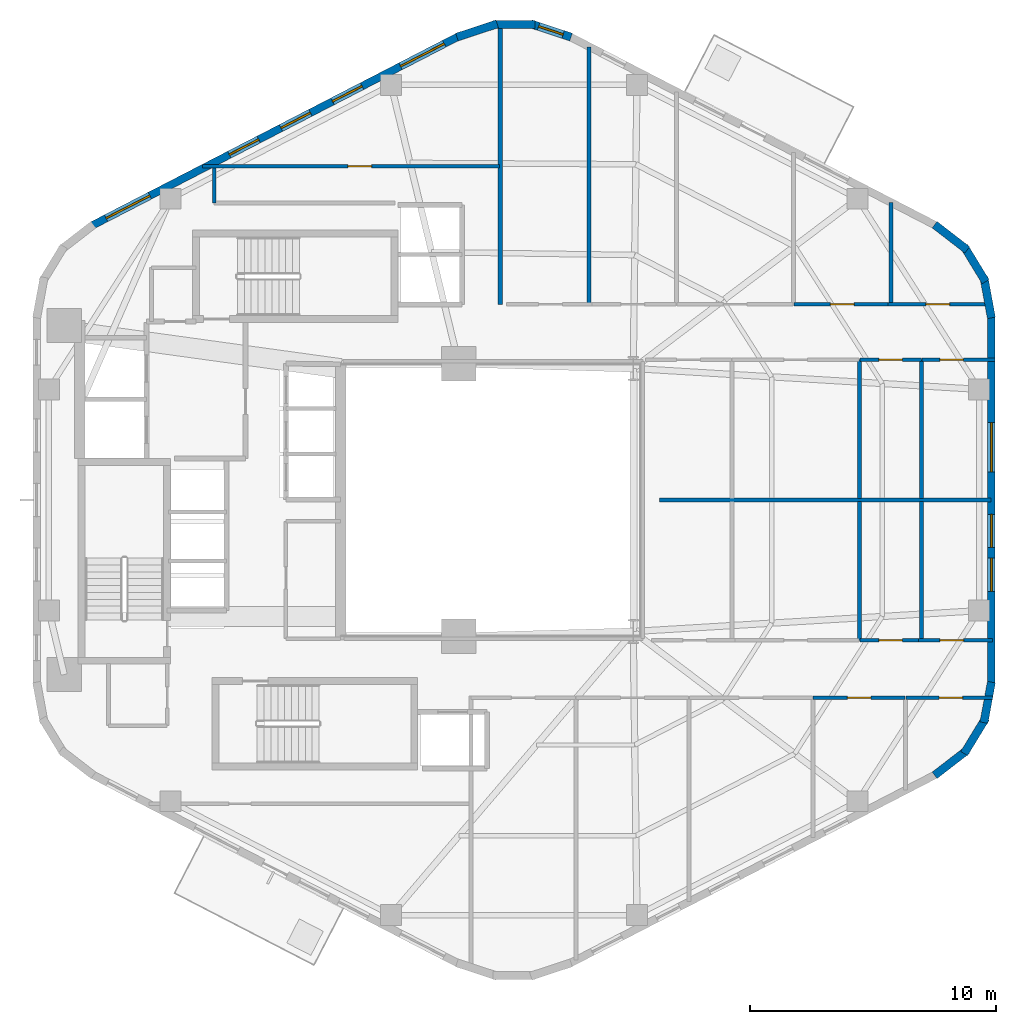
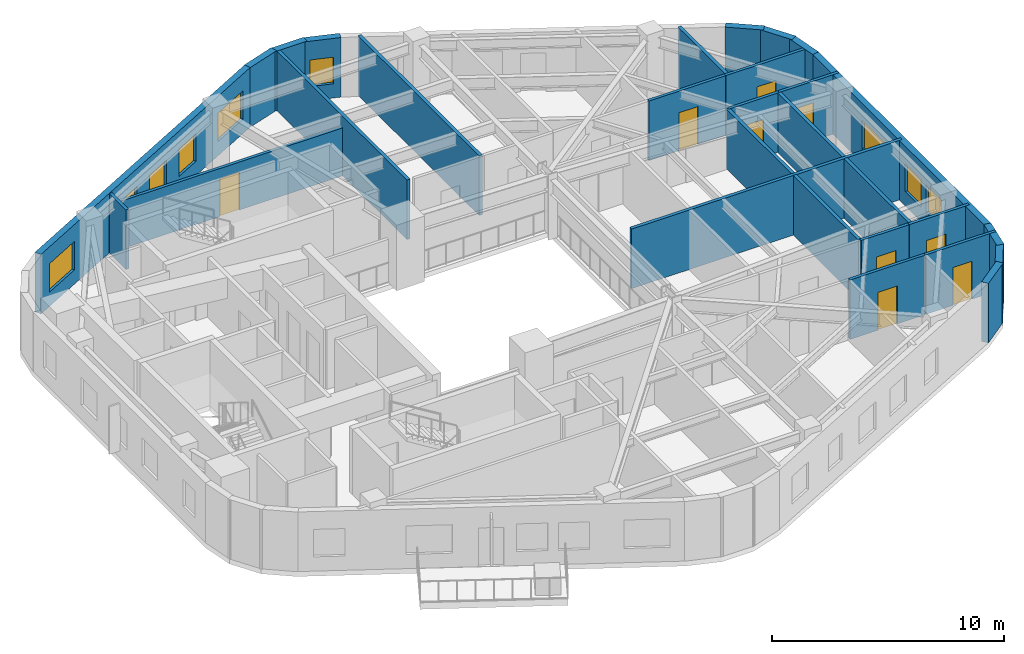
# One storey, part 5 of 8: 29 walls, 9 doors, 9 windows, 18 openings.
"""IFC4 building model written with IfcOpenShell, lengths in metres."""

from ifc_helpers import new_model, si_unit, direction, frame, frame_2d, origin, place, context, subcontext, project, spatial, rectangle, extrude, material, layer, layer_set, type_object, element, fill, save


model = new_model("IFC4")

# Units and contexts
model_context = context("Model", 3, precision=1e-05, world=origin(), true_north=direction((0.0, 1.0)))
body_context = subcontext(model_context, "Body", "Model", "MODEL_VIEW")
ifc_project = project(units=[si_unit("LENGTHUNIT", "METRE"), si_unit("AREAUNIT", "SQUARE_METRE"), si_unit("VOLUMEUNIT", "CUBIC_METRE"), si_unit("PLANEANGLEUNIT", "RADIAN"), si_unit("MASSUNIT", "GRAM", prefix="KILO"), si_unit("THERMODYNAMICTEMPERATUREUNIT", "KELVIN"), si_unit("POWERUNIT", "WATT")], contexts=[model_context])

# Site, building, storey
site_placement = place(None, origin())
site = spatial("IfcSite", under=ifc_project, at=site_placement, CompositionType="ELEMENT")
building_placement = place(site_placement, origin())
building = spatial("IfcBuilding", under=site, at=building_placement, Name="Skarre Station Tower", CompositionType="ELEMENT")
storey_placement = place(building_placement, frame((0.0, 0.0, 187.800048828125)))
storey = spatial("IfcBuildingStorey", under=building, at=storey_placement, Name="L51", CompositionType="ELEMENT", Elevation=187.800048828125)

# Wall, opening, door
ifc_material_1 = material(Name="Acoustic Steel-Stud Gypsum Partition", Category="steel")
ifc_layer_1 = layer(ifc_material_1, 0.14990234375, Name="Acoustic Steel-Stud Gypsum Partition")
ifc_layer_set_1 = layer_set([ifc_layer_1], Name="Acoustic Steel-Stud Gypsum Partition")
wall_type_1 = type_object("IfcWallType", Name="Fire-Rated Corridor Acoustic Partition 150", PredefinedType="PARTITIONING", material=ifc_layer_set_1)
wall_1_placement = place(storey_placement, frame((34.0, 37.580078125, 0.0), z_axis=(0.0, 0.0, 1.0), x_axis=(-1.0, 0.0, 0.0)))
wall_1 = element("IfcWall", 1, at=wall_1_placement, inside=storey, type_object=wall_type_1, Name="L51 Interior Partition WL-PT-L51-NWW1-CW", PredefinedType="PARTITIONING", context=body_context, shape_type="SweptSolid", body=[
    extrude(rectangle(XDim=12.074951171875, YDim=0.14990234375, at=frame_2d((6.03759765625, 0.0))), origin(), (0.0, 0.0, 1.0), 2.531982421875),
])
opening_1_placement = place(wall_1_placement, frame((5.195068359375, 0.0, 0.0)))
opening_1 = element("IfcOpeningElement", 2, at=opening_1_placement, cuts=wall_1, Name="Opening DR-FD60", PredefinedType="OPENING", context=body_context, shape_type="SweptSolid", body=[
    extrude(rectangle(XDim=0.9599609375, YDim=2.0, at=frame_2d((0.47998046875, 1.0))), frame((0.0, 0.0849609375, 0.0), z_axis=(0.0, -1.0, 0.0), x_axis=(1.0, 0.0, 0.0)), (0.0, 0.0, 1.0), 0.169921875),
])
ifc_material_2 = material(Name="Nordic White-Oak Veneer Solid-Core Fire Leaf", Category="wood")
door_type = type_object("IfcDoorType", Name="Corridor Suite Entry Fire Door FD60 960x2150", OperationType="SINGLE_SWING_LEFT", PredefinedType="DOOR", material=ifc_material_2)
door_1_placement = place(opening_1_placement, origin())
door_1 = element("IfcDoor", 3, at=door_1_placement, inside=storey, type_object=door_type, Name="L51 NWW1 Entry Door", OperationType="SINGLE_SWING_LEFT", OverallHeight=2.0, OverallWidth=0.9599609375, PredefinedType="DOOR", context=body_context, shape_type="SweptSolid", body=[
    extrude(rectangle(XDim=0.9599609375, YDim=2.0, at=frame_2d((0.47998046875, 1.0))), frame((0.0, 0.02490234375, 0.0), z_axis=(0.0, -1.0, 0.0), x_axis=(1.0, 0.0, 0.0)), (0.0, 0.0, 1.0), 0.050048828125),
])
fill(opening_1, door_1)

wall_2_placement = place(storey_placement, frame((49.806884765625, 31.9599609375, 0.0), z_axis=(0.0, 0.0, 1.0), x_axis=(-1.0, 0.0, 0.0)))
wall_2 = element("IfcWall", 4, at=wall_2_placement, inside=storey, type_object=wall_type_1, Name="L51 Interior Partition WL-PT-L51-NW4-CW", PredefinedType="PARTITIONING", context=body_context, shape_type="SweptSolid", body=[
    extrude(rectangle(XDim=3.81787109375, YDim=0.14990234375, at=frame_2d((1.908935546875, 0.0))), origin(), (0.0, 0.0, 1.0), 3.139892578125),
])
opening_2_placement = place(wall_2_placement, frame((1.3720703125, 0.0, 0.0)))
opening_2 = element("IfcOpeningElement", 5, at=opening_2_placement, cuts=wall_2, Name="Opening DR-FD60", PredefinedType="OPENING", context=body_context, shape_type="SweptSolid", body=[
    extrude(rectangle(XDim=0.9599609375, YDim=2.0, at=frame_2d((0.47998046875, 1.0))), frame((0.0, 0.0849609375, 0.0), z_axis=(0.0, -1.0, 0.0), x_axis=(1.0, 0.0, 0.0)), (0.0, 0.0, 1.0), 0.169921875),
])
door_2_placement = place(opening_2_placement, origin())
door_2 = element("IfcDoor", 6, at=door_2_placement, inside=storey, type_object=door_type, Name="L51 NW4 Entry Door", OperationType="SINGLE_SWING_LEFT", OverallHeight=2.0, OverallWidth=0.9599609375, PredefinedType="DOOR", context=body_context, shape_type="SweptSolid", body=[
    extrude(rectangle(XDim=0.9599609375, YDim=2.0, at=frame_2d((0.47998046875, 1.0))), frame((0.0, 0.02490234375, 0.0), z_axis=(0.0, -1.0, 0.0), x_axis=(1.0, 0.0, 0.0)), (0.0, 0.0, 1.0), 0.050048828125),
])
fill(opening_2, door_2)

wall_3_placement = place(storey_placement, frame((53.969970703125, 31.9599609375, 0.0), z_axis=(0.0, 0.0, 1.0), x_axis=(-1.0, 0.0, 0.0)))
wall_3 = element("IfcWall", 7, at=wall_3_placement, inside=storey, type_object=wall_type_1, Name="L51 Interior Partition WL-PT-L51-NW5-CW", PredefinedType="PARTITIONING", context=body_context, shape_type="SweptSolid", body=[
    extrude(rectangle(XDim=4.153076171875, YDim=0.14990234375, at=frame_2d((2.07666015625, 0.0))), origin(), (0.0, 0.0, 1.0), 3.139892578125),
])
opening_3_placement = place(wall_3_placement, frame((1.653076171875, 0.0, 0.0)))
opening_3 = element("IfcOpeningElement", 8, at=opening_3_placement, cuts=wall_3, Name="Opening DR-FD60", PredefinedType="OPENING", context=body_context, shape_type="SweptSolid", body=[
    extrude(rectangle(XDim=0.9599609375, YDim=2.0, at=frame_2d((0.47998046875, 1.0))), frame((0.0, 0.0849609375, 0.0), z_axis=(0.0, -1.0, 0.0), x_axis=(1.0, 0.0, 0.0)), (0.0, 0.0, 1.0), 0.169921875),
])
door_3_placement = place(opening_3_placement, origin())
door_3 = element("IfcDoor", 9, at=door_3_placement, inside=storey, type_object=door_type, Name="L51 NW5 Entry Door", OperationType="SINGLE_SWING_LEFT", OverallHeight=2.0, OverallWidth=0.9599609375, PredefinedType="DOOR", context=body_context, shape_type="SweptSolid", body=[
    extrude(rectangle(XDim=0.9599609375, YDim=2.0, at=frame_2d((0.47998046875, 1.0))), frame((0.0, 0.02490234375, 0.0), z_axis=(0.0, -1.0, 0.0), x_axis=(1.0, 0.0, 0.0)), (0.0, 0.0, 1.0), 0.050048828125),
])
fill(opening_3, door_3)

wall_4_placement = place(storey_placement, frame((48.6708984375, 29.7099609375, 0.0), z_axis=(0.0, 0.0, 1.0), x_axis=(1.0, 0.0, 0.0)))
wall_4 = element("IfcWall", 10, at=wall_4_placement, inside=storey, type_object=wall_type_1, Name="L51 Interior Partition WL-PT-L51-EWN3-CW", PredefinedType="PARTITIONING", context=body_context, shape_type="SweptSolid", body=[
    extrude(rectangle(XDim=2.498046875, YDim=0.14990234375, at=frame_2d((1.2490234375, 0.0))), origin(), (0.0, 0.0, 1.0), 3.139892578125),
])
opening_4_placement = place(wall_4_placement, frame((0.76904296875, 0.0, 0.0)))
opening_4 = element("IfcOpeningElement", 11, at=opening_4_placement, cuts=wall_4, Name="Opening DR-FD60", PredefinedType="OPENING", context=body_context, shape_type="SweptSolid", body=[
    extrude(rectangle(XDim=0.9599609375, YDim=2.0, at=frame_2d((0.47998046875, 1.0))), frame((0.0, 0.0849609375, 0.0), z_axis=(0.0, -1.0, 0.0), x_axis=(1.0, 0.0, 0.0)), (0.0, 0.0, 1.0), 0.169921875),
])
door_4_placement = place(opening_4_placement, origin())
door_4 = element("IfcDoor", 12, at=door_4_placement, inside=storey, type_object=door_type, Name="L51 EWN3 Entry Door", OperationType="SINGLE_SWING_LEFT", OverallHeight=2.0, OverallWidth=0.9599609375, PredefinedType="DOOR", context=body_context, shape_type="SweptSolid", body=[
    extrude(rectangle(XDim=0.9599609375, YDim=2.0, at=frame_2d((0.47998046875, 1.0))), frame((0.0, 0.02490234375, 0.0), z_axis=(0.0, -1.0, 0.0), x_axis=(1.0, 0.0, 0.0)), (0.0, 0.0, 1.0), 0.050048828125),
])
fill(opening_4, door_4)

wall_5_placement = place(storey_placement, frame((51.198974609375, 29.7099609375, 0.0), z_axis=(0.0, 0.0, 1.0), x_axis=(1.0, 0.0, 0.0)))
wall_5 = element("IfcWall", 13, at=wall_5_placement, inside=storey, type_object=wall_type_1, Name="L51 Interior Partition WL-PT-L51-EWN4-CW", PredefinedType="PARTITIONING", context=body_context, shape_type="SweptSolid", body=[
    extrude(rectangle(XDim=2.963134765625, YDim=0.14990234375, at=frame_2d((1.4814453125, 0.0))), origin(), (0.0, 0.0, 1.0), 3.139892578125),
])
opening_5_placement = place(wall_5_placement, frame((0.72607421875, 0.0, 0.0)))
opening_5 = element("IfcOpeningElement", 14, at=opening_5_placement, cuts=wall_5, Name="Opening DR-FD60", PredefinedType="OPENING", context=body_context, shape_type="SweptSolid", body=[
    extrude(rectangle(XDim=0.9599609375, YDim=2.0, at=frame_2d((0.47998046875, 1.0))), frame((0.0, 0.0849609375, 0.0), z_axis=(0.0, -1.0, 0.0), x_axis=(1.0, 0.0, 0.0)), (0.0, 0.0, 1.0), 0.169921875),
])
door_5_placement = place(opening_5_placement, origin())
door_5 = element("IfcDoor", 15, at=door_5_placement, inside=storey, type_object=door_type, Name="L51 EWN4 Entry Door", OperationType="SINGLE_SWING_LEFT", OverallHeight=2.0, OverallWidth=0.9599609375, PredefinedType="DOOR", context=body_context, shape_type="SweptSolid", body=[
    extrude(rectangle(XDim=0.9599609375, YDim=2.0, at=frame_2d((0.47998046875, 1.0))), frame((0.0, 0.02490234375, 0.0), z_axis=(0.0, -1.0, 0.0), x_axis=(1.0, 0.0, 0.0)), (0.0, 0.0, 1.0), 0.050048828125),
])
fill(opening_5, door_5)

wall_6_placement = place(storey_placement, frame((51.053955078125, 18.2900390625, 0.0), z_axis=(0.0, 0.0, 1.0), x_axis=(-1.0, 0.0, 0.0)))
wall_6 = element("IfcWall", 16, at=wall_6_placement, inside=storey, type_object=wall_type_1, Name="L51 Interior Partition WL-PT-L51-EWS3-CW", PredefinedType="PARTITIONING", context=body_context, shape_type="SweptSolid", body=[
    extrude(rectangle(XDim=2.383056640625, YDim=0.14990234375, at=frame_2d((1.19140625, 0.0))), origin(), (0.0, 0.0, 1.0), 3.139892578125),
])
opening_6_placement = place(wall_6_placement, frame((0.654052734375, 0.0, 0.0)))
opening_6 = element("IfcOpeningElement", 17, at=opening_6_placement, cuts=wall_6, Name="Opening DR-FD60", PredefinedType="OPENING", context=body_context, shape_type="SweptSolid", body=[
    extrude(rectangle(XDim=0.9599609375, YDim=2.0, at=frame_2d((0.47998046875, 1.0))), frame((0.0, 0.0849609375, 0.0), z_axis=(0.0, -1.0, 0.0), x_axis=(1.0, 0.0, 0.0)), (0.0, 0.0, 1.0), 0.169921875),
])
door_6_placement = place(opening_6_placement, origin())
door_6 = element("IfcDoor", 18, at=door_6_placement, inside=storey, type_object=door_type, Name="L51 EWS3 Entry Door", OperationType="SINGLE_SWING_LEFT", OverallHeight=2.0, OverallWidth=0.9599609375, PredefinedType="DOOR", context=body_context, shape_type="SweptSolid", body=[
    extrude(rectangle(XDim=0.9599609375, YDim=2.0, at=frame_2d((0.47998046875, 1.0))), frame((0.0, 0.02490234375, 0.0), z_axis=(0.0, -1.0, 0.0), x_axis=(1.0, 0.0, 0.0)), (0.0, 0.0, 1.0), 0.050048828125),
])
fill(opening_6, door_6)

wall_7_placement = place(storey_placement, frame((54.06201171875, 18.2900390625, 0.0), z_axis=(0.0, 0.0, 1.0), x_axis=(-1.0, 0.0, 0.0)))
wall_7 = element("IfcWall", 19, at=wall_7_placement, inside=storey, type_object=wall_type_1, Name="L51 Interior Partition WL-PT-L51-EWS4-CW", PredefinedType="PARTITIONING", context=body_context, shape_type="SweptSolid", body=[
    extrude(rectangle(XDim=2.998046875, YDim=0.14990234375, at=frame_2d((1.4990234375, 0.0))), origin(), (0.0, 0.0, 1.0), 3.139892578125),
])
opening_7_placement = place(wall_7_placement, frame((1.176025390625, 0.0, 0.0)))
opening_7 = element("IfcOpeningElement", 20, at=opening_7_placement, cuts=wall_7, Name="Opening DR-FD60", PredefinedType="OPENING", context=body_context, shape_type="SweptSolid", body=[
    extrude(rectangle(XDim=0.9599609375, YDim=2.0, at=frame_2d((0.47998046875, 1.0))), frame((0.0, 0.0849609375, 0.0), z_axis=(0.0, -1.0, 0.0), x_axis=(1.0, 0.0, 0.0)), (0.0, 0.0, 1.0), 0.169921875),
])
door_7_placement = place(opening_7_placement, origin())
door_7 = element("IfcDoor", 21, at=door_7_placement, inside=storey, type_object=door_type, Name="L51 EWS4 Entry Door", OperationType="SINGLE_SWING_LEFT", OverallHeight=2.0, OverallWidth=0.9599609375, PredefinedType="DOOR", context=body_context, shape_type="SweptSolid", body=[
    extrude(rectangle(XDim=0.9599609375, YDim=2.0, at=frame_2d((0.47998046875, 1.0))), frame((0.0, 0.02490234375, 0.0), z_axis=(0.0, -1.0, 0.0), x_axis=(1.0, 0.0, 0.0)), (0.0, 0.0, 1.0), 0.050048828125),
])
fill(opening_7, door_7)

wall_8_placement = place(storey_placement, frame((46.77294921875, 15.9599609375, 0.0), z_axis=(0.0, 0.0, 1.0), x_axis=(1.0, 0.0, 0.0)))
wall_8 = element("IfcWall", 22, at=wall_8_placement, inside=storey, type_object=wall_type_1, Name="L51 Interior Partition WL-PT-L51-SW4-CW", PredefinedType="PARTITIONING", context=body_context, shape_type="SweptSolid", body=[
    extrude(rectangle(XDim=3.738037109375, YDim=0.14990234375, at=frame_2d((1.869140625, 0.0))), origin(), (0.0, 0.0, 1.0), 3.139892578125),
])
opening_8_placement = place(wall_8_placement, frame((1.388916015625, 0.0, 0.0)))
opening_8 = element("IfcOpeningElement", 23, at=opening_8_placement, cuts=wall_8, Name="Opening DR-FD60", PredefinedType="OPENING", context=body_context, shape_type="SweptSolid", body=[
    extrude(rectangle(XDim=0.9599609375, YDim=2.0, at=frame_2d((0.47998046875, 1.0))), frame((0.0, 0.0849609375, 0.0), z_axis=(0.0, -1.0, 0.0), x_axis=(1.0, 0.0, 0.0)), (0.0, 0.0, 1.0), 0.169921875),
])
door_8_placement = place(opening_8_placement, origin())
door_8 = element("IfcDoor", 24, at=door_8_placement, inside=storey, type_object=door_type, Name="L51 SW4 Entry Door", OperationType="SINGLE_SWING_LEFT", OverallHeight=2.0, OverallWidth=0.9599609375, PredefinedType="DOOR", context=body_context, shape_type="SweptSolid", body=[
    extrude(rectangle(XDim=0.9599609375, YDim=2.0, at=frame_2d((0.47998046875, 1.0))), frame((0.0, 0.02490234375, 0.0), z_axis=(0.0, -1.0, 0.0), x_axis=(1.0, 0.0, 0.0)), (0.0, 0.0, 1.0), 0.050048828125),
])
fill(opening_8, door_8)

wall_9_placement = place(storey_placement, frame((50.547119140625, 15.9599609375, 0.0), z_axis=(0.0, 0.0, 1.0), x_axis=(1.0, 0.0, 0.0)))
wall_9 = element("IfcWall", 25, at=wall_9_placement, inside=storey, type_object=wall_type_1, Name="L51 Interior Partition WL-PT-L51-SW5-CW", PredefinedType="PARTITIONING", context=body_context, shape_type="SweptSolid", body=[
    extrude(rectangle(XDim=3.515869140625, YDim=0.14990234375, at=frame_2d((1.7578125, 0.0))), origin(), (0.0, 0.0, 1.0), 3.139892578125),
])
opening_9_placement = place(wall_9_placement, frame((1.346923828125, 0.0, 0.0)))
opening_9 = element("IfcOpeningElement", 26, at=opening_9_placement, cuts=wall_9, Name="Opening DR-FD60", PredefinedType="OPENING", context=body_context, shape_type="SweptSolid", body=[
    extrude(rectangle(XDim=0.9599609375, YDim=2.0, at=frame_2d((0.47998046875, 1.0))), frame((0.0, 0.0849609375, 0.0), z_axis=(0.0, -1.0, 0.0), x_axis=(1.0, 0.0, 0.0)), (0.0, 0.0, 1.0), 0.169921875),
])
door_9_placement = place(opening_9_placement, origin())
door_9 = element("IfcDoor", 27, at=door_9_placement, inside=storey, type_object=door_type, Name="L51 SW5 Entry Door", OperationType="SINGLE_SWING_LEFT", OverallHeight=2.0, OverallWidth=0.9599609375, PredefinedType="DOOR", context=body_context, shape_type="SweptSolid", body=[
    extrude(rectangle(XDim=0.9599609375, YDim=2.0, at=frame_2d((0.47998046875, 1.0))), frame((0.0, 0.02490234375, 0.0), z_axis=(0.0, -1.0, 0.0), x_axis=(1.0, 0.0, 0.0)), (0.0, 0.0, 1.0), 0.050048828125),
])
fill(opening_9, door_9)

# Walls
wall_10_placement = place(storey_placement, frame((22.39990234375, 36.080078125, 0.0), z_axis=(0.0, 0.0, 1.0), x_axis=(0.0, 1.0, 0.0)))
element("IfcWall", 28, at=wall_10_placement, inside=storey, type_object=wall_type_1, Name="L51 Interior Partition WL-PT-L51-CSEAL-2", PredefinedType="PARTITIONING", context=body_context, shape_type="SweptSolid", body=[
    extrude(rectangle(XDim=1.429931640625, YDim=0.14990234375, at=frame_2d((0.71484375, 0.0))), origin(), (0.0, 0.0, 1.0), 3.139892578125),
])
ifc_material_3 = material(Name="Precast concrete C45/55", Category="concrete")
ifc_layer_2 = layer(ifc_material_3, 0.330078125, Name="Precast concrete C45/55")
ifc_layer_set_2 = layer_set([ifc_layer_2], Name="Precast concrete C45/55")
wall_type_2 = type_object("IfcWallType", Name="Nordic Rounded Corner Precast Wall 330", PredefinedType="STANDARD", material=ifc_layer_set_2)
wall_11_placement = place(storey_placement, frame((51.7109375, 35.199951171875, 0.0), z_axis=(0.0, 0.0, 1.0), x_axis=(0.791464279355, -0.611215423976, 0.0)))
element("IfcWall", 29, at=wall_11_placement, inside=storey, type_object=wall_type_2, Name="L51 Rounded Corner Precast Wall F0-1", PredefinedType="STANDARD", context=body_context, shape_type="SweptSolid", body=[
    extrude(rectangle(XDim=1.6767578125, YDim=0.330078125, at=frame_2d((0.83837890625, 0.0))), origin(), (0.0, 0.0, 1.0), 3.139892578125),
])
wall_12_placement = place(storey_placement, frame((52.912109375, 34.31494140625, 0.0), z_axis=(0.0, 0.0, 1.0), x_axis=(0.520219286058, -0.85403272444, 0.0)))
element("IfcWall", 30, at=wall_12_placement, inside=storey, type_object=wall_type_2, Name="L51 Rounded Corner Precast Wall F0-2", PredefinedType="STANDARD", context=body_context, shape_type="SweptSolid", body=[
    extrude(rectangle(XDim=1.677734375, YDim=0.330078125, at=frame_2d((0.8388671875, 0.0))), origin(), (0.0, 0.0, 1.0), 3.139892578125),
])
wall_13_placement = place(storey_placement, frame((53.718017578125, 33.056884765625, 0.0), z_axis=(0.0, 0.0, 1.0), x_axis=(0.180717642671, -0.983535019014, 0.0)))
element("IfcWall", 31, at=wall_13_placement, inside=storey, type_object=wall_type_2, Name="L51 Rounded Corner Precast Wall F0-3", PredefinedType="STANDARD", context=body_context, shape_type="SweptSolid", body=[
    extrude(rectangle(XDim=1.676513671875, YDim=0.330078125, at=frame_2d((0.83837890625, 0.0))), origin(), (0.0, 0.0, 1.0), 3.139892578125),
])
wall_14_placement = place(storey_placement, frame((32.281005859375, 42.83203125, 0.0), z_axis=(0.0, 0.0, 1.0), x_axis=(0.949937416267, 0.312440242569, 0.0)))
element("IfcWall", 32, at=wall_14_placement, inside=storey, type_object=wall_type_2, Name="L51 Rounded Corner Precast Wall F1-1", PredefinedType="STANDARD", context=body_context, shape_type="SweptSolid", body=[
    extrude(rectangle(XDim=1.72216796875, YDim=0.330078125, at=frame_2d((0.861083984375, 0.0))), origin(), (0.0, 0.0, 1.0), 3.139892578125),
])
wall_15_placement = place(storey_placement, frame((33.739013671875, 43.341064453125, 0.0), z_axis=(0.0, 0.0, 1.0), x_axis=(1.0, 0.0, 0.0)))
element("IfcWall", 33, at=wall_15_placement, inside=storey, type_object=wall_type_2, Name="L51 Rounded Corner Precast Wall F1-2", PredefinedType="STANDARD", context=body_context, shape_type="SweptSolid", body=[
    extrude(rectangle(XDim=1.721923828125, YDim=0.330078125, at=frame_2d((0.86083984375, 0.0))), origin(), (0.0, 0.0, 1.0), 3.139892578125),
])

# Wall, opening, window
wall_16_placement = place(storey_placement, frame((35.282958984375, 43.3701171875, 0.0), z_axis=(0.0, 0.0, 1.0), x_axis=(0.949937416267, -0.312440242569, 0.0)))
wall_16 = element("IfcWall", 34, at=wall_16_placement, inside=storey, type_object=wall_type_2, Name="L51 Rounded Corner Precast Wall F1-3", PredefinedType="STANDARD", context=body_context, shape_type="SweptSolid", body=[
    extrude(rectangle(XDim=1.72216796875, YDim=0.330078125, at=frame_2d((0.861083984375, 0.0))), origin(), (0.0, 0.0, 1.0), 3.139892578125),
])
opening_10_placement = place(wall_16_placement, frame((0.3359375, 0.0, 0.75)))
opening_10 = element("IfcOpeningElement", 35, at=opening_10_placement, cuts=wall_16, Name="Opening WN-SLT", PredefinedType="OPENING", context=body_context, shape_type="SweptSolid", body=[
    extrude(rectangle(XDim=1.050048828125, YDim=1.39990234375, at=frame_2d((0.52490234375, 0.699951171875))), frame((0.0, 0.175048828125, 0.0), z_axis=(0.0, -1.0, 0.0), x_axis=(1.0, 0.0, 0.0)), (0.0, 0.0, 1.0), 0.35009765625),
])
ifc_material_4 = material(Name="Low-Iron Triple Glazing with Bronze Anodized Frame", Category="glass")
window_type_1 = type_object("IfcWindowType", Name="Nordic Corner Slot Window 1050x1400", PartitioningType="SINGLE_PANEL", PredefinedType="WINDOW", material=ifc_material_4)
window_1_placement = place(opening_10_placement, origin())
window_1 = element("IfcWindow", 36, at=window_1_placement, inside=storey, type_object=window_type_1, Name="L51 Apex Corner Slot Window F1-3", OverallHeight=1.39990234375, OverallWidth=1.050048828125, PartitioningType="SINGLE_PANEL", PredefinedType="WINDOW", context=body_context, shape_type="SweptSolid", body=[
    extrude(rectangle(XDim=1.050048828125, YDim=1.39990234375, at=frame_2d((0.52490234375, 0.699951171875))), frame((0.0, 0.030029296875, 0.0), z_axis=(0.0, -1.0, 0.0), x_axis=(1.0, 0.0, 0.0)), (0.0, 0.0, 1.0), 0.06005859375),
])
fill(opening_10, window_1)

# Walls
wall_17_placement = place(storey_placement, frame((54.02099609375, 16.592041015625, 0.0), z_axis=(0.0, 0.0, 1.0), x_axis=(-0.180717642671, -0.983535019014, 0.0)))
element("IfcWall", 37, at=wall_17_placement, inside=storey, type_object=wall_type_2, Name="L51 Rounded Corner Precast Wall F5-1", PredefinedType="STANDARD", context=body_context, shape_type="SweptSolid", body=[
    extrude(rectangle(XDim=1.676513671875, YDim=0.330078125, at=frame_2d((0.83837890625, 0.0))), origin(), (0.0, 0.0, 1.0), 3.139892578125),
])
wall_18_placement = place(storey_placement, frame((53.784912109375, 15.117919921875, 0.0), z_axis=(0.0, 0.0, 1.0), x_axis=(-0.520219286058, -0.85403272444, 0.0)))
element("IfcWall", 38, at=wall_18_placement, inside=storey, type_object=wall_type_2, Name="L51 Rounded Corner Precast Wall F5-2", PredefinedType="STANDARD", context=body_context, shape_type="SweptSolid", body=[
    extrude(rectangle(XDim=1.677734375, YDim=0.330078125, at=frame_2d((0.8388671875, 0.0))), origin(), (0.0, 0.0, 1.0), 3.139892578125),
])
wall_19_placement = place(storey_placement, frame((53.0380859375, 13.824951171875, 0.0), z_axis=(0.0, 0.0, 1.0), x_axis=(-0.791464279355, -0.611215423976, 0.0)))
element("IfcWall", 39, at=wall_19_placement, inside=storey, type_object=wall_type_2, Name="L51 Rounded Corner Precast Wall F5-3", PredefinedType="STANDARD", context=body_context, shape_type="SweptSolid", body=[
    extrude(rectangle(XDim=1.6767578125, YDim=0.330078125, at=frame_2d((0.83837890625, 0.0))), origin(), (0.0, 0.0, 1.0), 3.139892578125),
])

# Wall, openings, windows
ifc_layer_3 = layer(ifc_material_3, 0.31005859375, Name="Precast concrete C45/55")
ifc_layer_set_3 = layer_set([ifc_layer_3], Name="Precast concrete C45/55")
wall_type_3 = type_object("IfcWallType", Name="Nordic Upper-Zone Precast Facet Wall 310", PredefinedType="STANDARD", material=ifc_layer_set_3)
wall_20_placement = place(storey_placement, frame((17.407958984375, 35.153076171875, 0.0), z_axis=(0.0, 0.0, 1.0), x_axis=(0.888626188278, 0.458632202867, 0.0)))
wall_20 = element("IfcWall", 40, at=wall_20_placement, inside=storey, type_object=wall_type_3, Name="L51 Facet 1 Nordic Precast Masonry Wall", PredefinedType="STANDARD", context=body_context, shape_type="SweptSolid", body=[
    extrude(rectangle(XDim=16.828369140625, YDim=0.31005859375, at=frame_2d((8.4140625, 0.0))), origin(), (0.0, 0.0, 1.0), 3.139892578125),
])
opening_11_placement = place(wall_20_placement, frame((0.675048828125, 0.0, 0.75)))
opening_11 = element("IfcOpeningElement", 41, at=opening_11_placement, cuts=wall_20, Name="Opening WN-Z3A", PredefinedType="OPENING", context=body_context, shape_type="SweptSolid", body=[
    extrude(rectangle(XDim=2.0, YDim=1.5, at=frame_2d((1.0, 0.75))), frame((0.0, 0.1650390625, 0.0), z_axis=(0.0, -1.0, 0.0), x_axis=(1.0, 0.0, 0.0)), (0.0, 0.0, 1.0), 0.330078125),
])
opening_12_placement = place(wall_20_placement, frame((6.31201171875, 0.0, 0.75)))
opening_12 = element("IfcOpeningElement", 42, at=opening_12_placement, cuts=wall_20, Name="Opening WN-Z3B", PredefinedType="OPENING", context=body_context, shape_type="SweptSolid", body=[
    extrude(rectangle(XDim=1.35009765625, YDim=1.449951171875, at=frame_2d((0.675048828125, 0.72509765625))), frame((0.0, 0.1650390625, 0.0), z_axis=(0.0, -1.0, 0.0), x_axis=(1.0, 0.0, 0.0)), (0.0, 0.0, 1.0), 0.330078125),
])
opening_13_placement = place(wall_20_placement, frame((8.676025390625, 0.0, 0.75)))
opening_13 = element("IfcOpeningElement", 43, at=opening_13_placement, cuts=wall_20, Name="Opening WN-Z3B", PredefinedType="OPENING", context=body_context, shape_type="SweptSolid", body=[
    extrude(rectangle(XDim=1.35009765625, YDim=1.449951171875, at=frame_2d((0.675048828125, 0.72509765625))), frame((0.0, 0.1650390625, 0.0), z_axis=(0.0, -1.0, 0.0), x_axis=(1.0, 0.0, 0.0)), (0.0, 0.0, 1.0), 0.330078125),
])
opening_14_placement = place(wall_20_placement, frame((11.041015625, 0.0, 0.75)))
opening_14 = element("IfcOpeningElement", 44, at=opening_14_placement, cuts=wall_20, Name="Opening WN-Z3B", PredefinedType="OPENING", context=body_context, shape_type="SweptSolid", body=[
    extrude(rectangle(XDim=1.35009765625, YDim=1.449951171875, at=frame_2d((0.675048828125, 0.72509765625))), frame((0.0, 0.1650390625, 0.0), z_axis=(0.0, -1.0, 0.0), x_axis=(1.0, 0.0, 0.0)), (0.0, 0.0, 1.0), 0.330078125),
])
opening_15_placement = place(wall_20_placement, frame((14.153076171875, 0.0, 0.75)))
opening_15 = element("IfcOpeningElement", 45, at=opening_15_placement, cuts=wall_20, Name="Opening WN-Z3A", PredefinedType="OPENING", context=body_context, shape_type="SweptSolid", body=[
    extrude(rectangle(XDim=2.0, YDim=1.5, at=frame_2d((1.0, 0.75))), frame((0.0, 0.1650390625, 0.0), z_axis=(0.0, -1.0, 0.0), x_axis=(1.0, 0.0, 0.0)), (0.0, 0.0, 1.0), 0.330078125),
])
window_type_2 = type_object("IfcWindowType", Name="Nordic Hospitality Narrow Window 1350x1450", PartitioningType="SINGLE_PANEL", PredefinedType="WINDOW", material=ifc_material_4)
window_2_placement = place(opening_12_placement, origin())
window_2 = element("IfcWindow", 46, at=window_2_placement, inside=storey, type_object=window_type_2, Name="L51 Facade Window WL-FAC-L51-F1-2", OverallHeight=1.449951171875, OverallWidth=1.35009765625, PartitioningType="SINGLE_PANEL", PredefinedType="WINDOW", context=body_context, shape_type="SweptSolid", body=[
    extrude(rectangle(XDim=1.35009765625, YDim=1.449951171875, at=frame_2d((0.675048828125, 0.72509765625))), frame((0.0, 0.030029296875, 0.0), z_axis=(0.0, -1.0, 0.0), x_axis=(1.0, 0.0, 0.0)), (0.0, 0.0, 1.0), 0.06005859375),
])
fill(opening_12, window_2)
window_3_placement = place(opening_13_placement, origin())
window_3 = element("IfcWindow", 47, at=window_3_placement, inside=storey, type_object=window_type_2, Name="L51 Facade Window WL-FAC-L51-F1-3", OverallHeight=1.449951171875, OverallWidth=1.35009765625, PartitioningType="SINGLE_PANEL", PredefinedType="WINDOW", context=body_context, shape_type="SweptSolid", body=[
    extrude(rectangle(XDim=1.35009765625, YDim=1.449951171875, at=frame_2d((0.675048828125, 0.72509765625))), frame((0.0, 0.030029296875, 0.0), z_axis=(0.0, -1.0, 0.0), x_axis=(1.0, 0.0, 0.0)), (0.0, 0.0, 1.0), 0.06005859375),
])
fill(opening_13, window_3)
window_4_placement = place(opening_14_placement, origin())
window_4 = element("IfcWindow", 48, at=window_4_placement, inside=storey, type_object=window_type_2, Name="L51 Facade Window WL-FAC-L51-F1-4", OverallHeight=1.449951171875, OverallWidth=1.35009765625, PartitioningType="SINGLE_PANEL", PredefinedType="WINDOW", context=body_context, shape_type="SweptSolid", body=[
    extrude(rectangle(XDim=1.35009765625, YDim=1.449951171875, at=frame_2d((0.675048828125, 0.72509765625))), frame((0.0, 0.030029296875, 0.0), z_axis=(0.0, -1.0, 0.0), x_axis=(1.0, 0.0, 0.0)), (0.0, 0.0, 1.0), 0.06005859375),
])
fill(opening_14, window_4)
window_type_3 = type_object("IfcWindowType", Name="Nordic Hospitality Window 2000x1500", PartitioningType="SINGLE_PANEL", PredefinedType="WINDOW", material=ifc_material_4)
window_5_placement = place(opening_11_placement, origin())
window_5 = element("IfcWindow", 49, at=window_5_placement, inside=storey, type_object=window_type_3, Name="L51 Facade Window WL-FAC-L51-F1-1", OverallHeight=1.5, OverallWidth=2.0, PartitioningType="SINGLE_PANEL", PredefinedType="WINDOW", context=body_context, shape_type="SweptSolid", body=[
    extrude(rectangle(XDim=2.0, YDim=1.5, at=frame_2d((1.0, 0.75))), frame((0.0, 0.030029296875, 0.0), z_axis=(0.0, -1.0, 0.0), x_axis=(1.0, 0.0, 0.0)), (0.0, 0.0, 1.0), 0.06005859375),
])
fill(opening_11, window_5)
window_6_placement = place(opening_15_placement, origin())
window_6 = element("IfcWindow", 50, at=window_6_placement, inside=storey, type_object=window_type_3, Name="L51 Facade Window WL-FAC-L51-F1-5", OverallHeight=1.5, OverallWidth=2.0, PartitioningType="SINGLE_PANEL", PredefinedType="WINDOW", context=body_context, shape_type="SweptSolid", body=[
    extrude(rectangle(XDim=2.0, YDim=1.5, at=frame_2d((1.0, 0.75))), frame((0.0, 0.030029296875, 0.0), z_axis=(0.0, -1.0, 0.0), x_axis=(1.0, 0.0, 0.0)), (0.0, 0.0, 1.0), 0.06005859375),
])
fill(opening_15, window_6)

wall_21_placement = place(storey_placement, frame((54.01708984375, 31.501953125, 0.0), z_axis=(0.0, 0.0, 1.0), x_axis=(0.0, -1.0, 0.0)))
wall_21 = element("IfcWall", 51, at=wall_21_placement, inside=storey, type_object=wall_type_3, Name="L51 Facet 5 Nordic Precast Masonry Wall", PredefinedType="STANDARD", context=body_context, shape_type="SweptSolid", body=[
    extrude(rectangle(XDim=15.00390625, YDim=0.31005859375, at=frame_2d((7.501953125, 0.0))), origin(), (0.0, 0.0, 1.0), 3.139892578125),
])
opening_16_placement = place(wall_21_placement, frame((4.35302734375, 0.0, 0.75)))
opening_16 = element("IfcOpeningElement", 52, at=opening_16_placement, cuts=wall_21, Name="Opening WN-Z3A", PredefinedType="OPENING", context=body_context, shape_type="SweptSolid", body=[
    extrude(rectangle(XDim=2.0, YDim=1.5, at=frame_2d((1.0, 0.75))), frame((0.0, 0.1650390625, 0.0), z_axis=(0.0, -1.0, 0.0), x_axis=(1.0, 0.0, 0.0)), (0.0, 0.0, 1.0), 0.330078125),
])
opening_17_placement = place(wall_21_placement, frame((8.0830078125, 0.0, 0.75)))
opening_17 = element("IfcOpeningElement", 53, at=opening_17_placement, cuts=wall_21, Name="Opening WN-Z3B", PredefinedType="OPENING", context=body_context, shape_type="SweptSolid", body=[
    extrude(rectangle(XDim=1.35009765625, YDim=1.449951171875, at=frame_2d((0.675048828125, 0.72509765625))), frame((0.0, 0.1650390625, 0.0), z_axis=(0.0, -1.0, 0.0), x_axis=(1.0, 0.0, 0.0)), (0.0, 0.0, 1.0), 0.330078125),
])
opening_18_placement = place(wall_21_placement, frame((9.8701171875, 0.0, 0.75)))
opening_18 = element("IfcOpeningElement", 54, at=opening_18_placement, cuts=wall_21, Name="Opening WN-Z3B", PredefinedType="OPENING", context=body_context, shape_type="SweptSolid", body=[
    extrude(rectangle(XDim=1.35009765625, YDim=1.449951171875, at=frame_2d((0.675048828125, 0.72509765625))), frame((0.0, 0.1650390625, 0.0), z_axis=(0.0, -1.0, 0.0), x_axis=(1.0, 0.0, 0.0)), (0.0, 0.0, 1.0), 0.330078125),
])
window_7_placement = place(opening_17_placement, origin())
window_7 = element("IfcWindow", 55, at=window_7_placement, inside=storey, type_object=window_type_2, Name="L51 Facade Window WL-FAC-L51-F5-2", OverallHeight=1.449951171875, OverallWidth=1.35009765625, PartitioningType="SINGLE_PANEL", PredefinedType="WINDOW", context=body_context, shape_type="SweptSolid", body=[
    extrude(rectangle(XDim=1.35009765625, YDim=1.449951171875, at=frame_2d((0.675048828125, 0.72509765625))), frame((0.0, 0.030029296875, 0.0), z_axis=(0.0, -1.0, 0.0), x_axis=(1.0, 0.0, 0.0)), (0.0, 0.0, 1.0), 0.06005859375),
])
fill(opening_17, window_7)
window_8_placement = place(opening_18_placement, origin())
window_8 = element("IfcWindow", 56, at=window_8_placement, inside=storey, type_object=window_type_2, Name="L51 Facade Window WL-FAC-L51-F5-3", OverallHeight=1.449951171875, OverallWidth=1.35009765625, PartitioningType="SINGLE_PANEL", PredefinedType="WINDOW", context=body_context, shape_type="SweptSolid", body=[
    extrude(rectangle(XDim=1.35009765625, YDim=1.449951171875, at=frame_2d((0.675048828125, 0.72509765625))), frame((0.0, 0.030029296875, 0.0), z_axis=(0.0, -1.0, 0.0), x_axis=(1.0, 0.0, 0.0)), (0.0, 0.0, 1.0), 0.06005859375),
])
fill(opening_18, window_8)
window_9_placement = place(opening_16_placement, origin())
window_9 = element("IfcWindow", 57, at=window_9_placement, inside=storey, type_object=window_type_3, Name="L51 Facade Window WL-FAC-L51-F5-1", OverallHeight=1.5, OverallWidth=2.0, PartitioningType="SINGLE_PANEL", PredefinedType="WINDOW", context=body_context, shape_type="SweptSolid", body=[
    extrude(rectangle(XDim=2.0, YDim=1.5, at=frame_2d((1.0, 0.75))), frame((0.0, 0.030029296875, 0.0), z_axis=(0.0, -1.0, 0.0), x_axis=(1.0, 0.0, 0.0)), (0.0, 0.0, 1.0), 0.06005859375),
])
fill(opening_16, window_9)

# Walls
ifc_layer_4 = layer(ifc_material_1, 0.1650390625, Name="Acoustic Steel-Stud Gypsum Partition")
ifc_layer_set_4 = layer_set([ifc_layer_4], Name="Acoustic Steel-Stud Gypsum Partition")
wall_type_4 = type_object("IfcWallType", Name="Suite Demising Acoustic Partition 165", PredefinedType="PARTITIONING", material=ifc_layer_set_4)
wall_22_placement = place(storey_placement, frame((34.0400390625, 31.9599609375, 0.0), z_axis=(0.0, 0.0, 1.0), x_axis=(0.0, 1.0, 0.0)))
element("IfcWall", 58, at=wall_22_placement, inside=storey, type_object=wall_type_4, Name="L51 Interior Partition WL-PT-L51-NW-WBND", PredefinedType="PARTITIONING", context=body_context, shape_type="SweptSolid", body=[
    extrude(rectangle(XDim=11.3759765625, YDim=0.1650390625, at=frame_2d((5.68798828125, 0.0))), origin(), (0.0, 0.0, 1.0), 3.139892578125),
])
wall_23_placement = place(storey_placement, frame((37.64794921875, 31.969970703125, 0.0), z_axis=(0.0, 0.0, 1.0), x_axis=(0.0, 1.0, 0.0)))
element("IfcWall", 59, at=wall_23_placement, inside=storey, type_object=wall_type_4, Name="L51 Interior Partition WL-PT-L51-NW-P1", PredefinedType="PARTITIONING", context=body_context, shape_type="SweptSolid", body=[
    extrude(rectangle(XDim=10.466064453125, YDim=0.1650390625, at=frame_2d((5.23291015625, 0.0))), origin(), (0.0, 0.0, 1.0), 3.139892578125),
])
wall_24_placement = place(storey_placement, frame((49.93701171875, 31.969970703125, 0.0), z_axis=(0.0, 0.0, 1.0), x_axis=(0.0, 1.0, 0.0)))
element("IfcWall", 60, at=wall_24_placement, inside=storey, type_object=wall_type_4, Name="L51 Interior Partition WL-PT-L51-NW-P4", PredefinedType="PARTITIONING", context=body_context, shape_type="SweptSolid", body=[
    extrude(rectangle(XDim=4.1240234375, YDim=0.1650390625, at=frame_2d((2.06201171875, 0.0))), origin(), (0.0, 0.0, 1.0), 3.139892578125),
])
wall_25_placement = place(storey_placement, frame((40.52001953125, 24.0, 0.0), z_axis=(0.0, 0.0, 1.0), x_axis=(1.0, 0.0, 0.0)))
element("IfcWall", 61, at=wall_25_placement, inside=storey, type_object=wall_type_4, Name="L51 Interior Partition WL-PT-L51-EW-Z2MID", PredefinedType="PARTITIONING", context=body_context, shape_type="SweptSolid", body=[
    extrude(rectangle(XDim=13.48193359375, YDim=0.1650390625, at=frame_2d((6.740966796875, 0.0))), origin(), (0.0, 0.0, 1.0), 3.139892578125),
])
for number, where, z_axis, x_axis, name in (
    (62, (48.656005859375, 24.070068359375, 0.0), (0.0, 0.0, 1.0), (0.0, 1.0, 0.0), "L51 Interior Partition WL-PT-L51-EWN-P2"),
    (63, (51.18408203125, 24.070068359375, 0.0), (0.0, 0.0, 1.0), (0.0, 1.0, 0.0), "L51 Interior Partition WL-PT-L51-EWN-P3"),
    (64, (48.656005859375, 18.2900390625, 0.0), (0.0, 0.0, 1.0), (0.0, 1.0, 0.0), "L51 Interior Partition WL-PT-L51-EWS-P2"),
    (65, (51.18408203125, 18.2900390625, 0.0), (0.0, 0.0, 1.0), (0.0, 1.0, 0.0), "L51 Interior Partition WL-PT-L51-EWS-P3"),
):
    element("IfcWall", number, at=place(storey_placement, frame(where, z_axis=z_axis, x_axis=x_axis)), inside=storey, type_object=wall_type_4, Name=name, PredefinedType="PARTITIONING", context=body_context, shape_type="SweptSolid", body=[
        extrude(rectangle(XDim=5.639892578125, YDim=0.1650390625, at=frame_2d((2.81982421875, 0.0))), origin(), (0.0, 0.0, 1.0), 3.139892578125),
    ])

save(model, "model.ifc")
